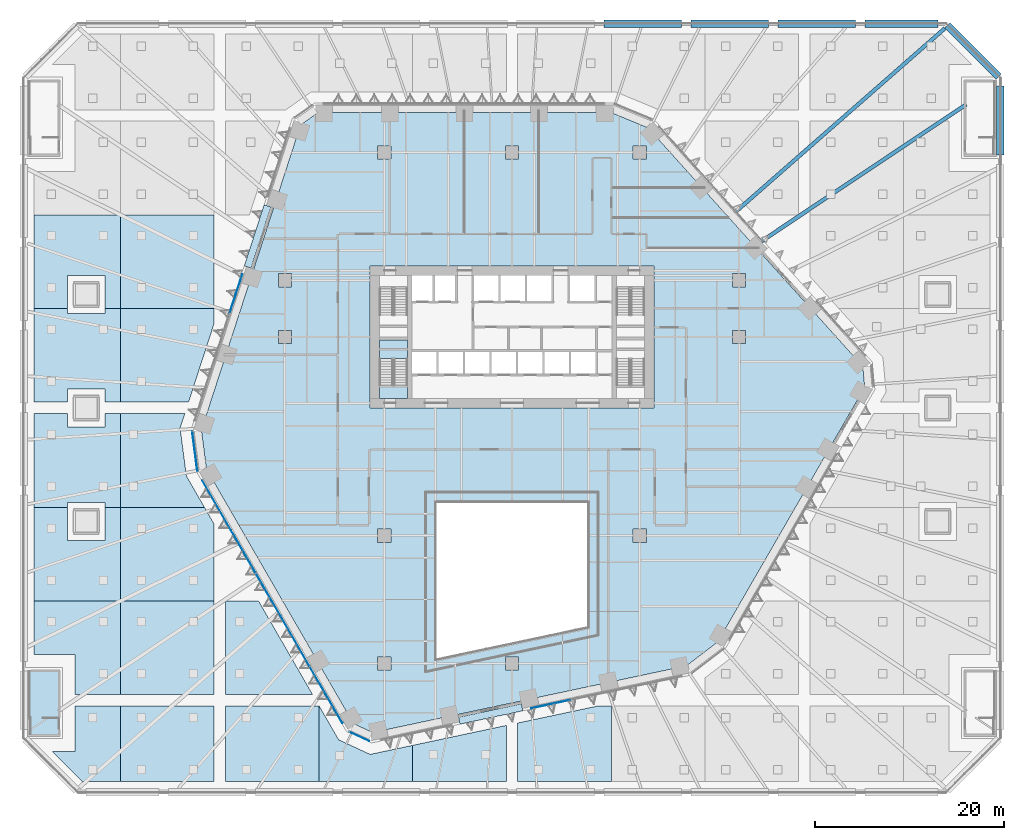
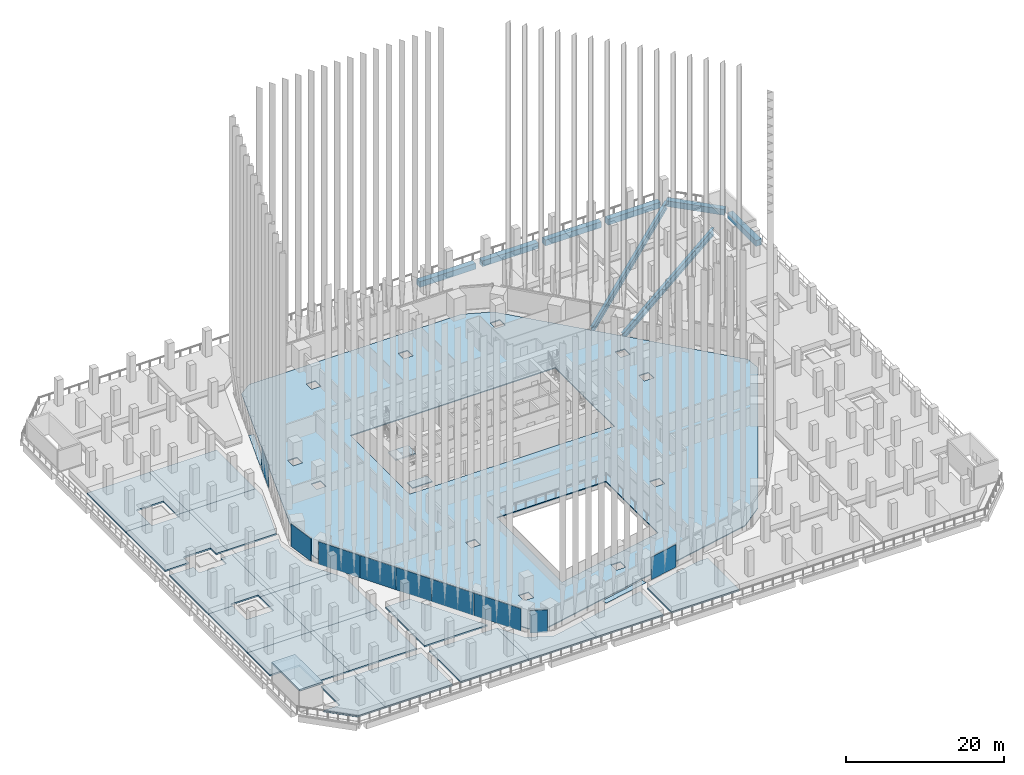
# One storey, part 21 of 51: 23 slabs, 9 plates, 8 beams, 6 elements without a shape of their own.
"""IFC4 building model written with IfcOpenShell, lengths in metres."""

import ifcopenshell
import ifcopenshell.guid

model = None  # the IFC model being written
_history = None  # IfcOwnerHistory: only IFC2X3 demands one
_inside = {}  # id of a spatial element -> (the spatial element, [elements in it])
_under = {}  # id of a project, library or spatial element -> (it, [spatial elements below it])
_declared = {}  # id of a project -> (the project, [libraries it declares])
_typed = {}  # id of a type object -> (the type object, [elements of that type])
_made_of = {}  # id of a material, layer set ... -> (it, [elements and type objects made of it])


def new_model(schema):
    """Start an empty IFC model of exactly this schema.

    Asked for "IFC4X3", IfcOpenShell would pick the latest addendum, in which some entities
    have other attributes; the version numbers below select the first issue.
    IFC2X3 requires an IfcOwnerHistory on every rooted entity: one is made here for all.
    """
    global model, _history
    if schema == "IFC4X3":
        model = ifcopenshell.file(schema_version=(4, 3, 0, 0))
    else:
        model = ifcopenshell.file(schema=schema)
    _inside.clear()
    _under.clear()
    _declared.clear()
    _typed.clear()
    _made_of.clear()
    _history = None
    if model.schema == "IFC2X3":
        org = make("IfcOrganization", Name="unknown")
        user = make(
            "IfcPersonAndOrganization",
            ThePerson=make("IfcPerson", FamilyName="unknown"),
            TheOrganization=org,
        )
        app = make(
            "IfcApplication",
            ApplicationDeveloper=org,
            Version="unknown",
            ApplicationFullName="unknown",
            ApplicationIdentifier="unknown",
        )
        _history = make(
            "IfcOwnerHistory",
            OwningUser=user,
            OwningApplication=app,
            ChangeAction="ADDED",
            CreationDate=0,
        )
    return model


def make(cls, **values):
    """One entity of the class cls with the attributes given. An attribute that is None is left unset."""
    return model.create_entity(
        cls, **{name: value for name, value in values.items() if value is not None}
    )


def rooted(cls, **values):
    """An entity with a GlobalId (a new one), such as an element, a storey or a relation."""
    return make(cls, GlobalId=ifcopenshell.guid.new(), OwnerHistory=_history, **values)


def si_unit(unit_type, name, prefix=None):
    """IfcSIUnit, for example si_unit("LENGTHUNIT", "METRE", prefix="MILLI")."""
    return make("IfcSIUnit", UnitType=unit_type, Prefix=prefix, Name=name)


def assignment(units):
    """IfcUnitAssignment: the units of a project."""
    return None if units is None else make("IfcUnitAssignment", Units=units)


def point(xyz):
    """IfcCartesianPoint."""
    return None if xyz is None else make("IfcCartesianPoint", Coordinates=xyz)


def direction(xyz):
    """IfcDirection."""
    return None if xyz is None else make("IfcDirection", DirectionRatios=xyz)


def frame(location, z_axis=None, x_axis=None):
    """IfcAxis2Placement3D, a coordinate frame: its origin and axes. An axis left out is left unset."""
    return make(
        "IfcAxis2Placement3D",
        Location=point(location),
        Axis=direction(z_axis),
        RefDirection=direction(x_axis),
    )


def frame_2d(location, x_axis=None):
    """IfcAxis2Placement2D, a coordinate frame in the plane: its origin and x axis."""
    return make(
        "IfcAxis2Placement2D", Location=point(location), RefDirection=direction(x_axis)
    )


def origin():
    """The frame at (0, 0, 0) with its axes left unset."""
    return frame((0.0, 0.0, 0.0))


def origin_2d():
    """The frame at (0, 0) in the plane with its x axis left unset."""
    return frame_2d((0.0, 0.0))


def place(relative_to, where):
    """IfcLocalPlacement: puts the frame where relative to a parent placement (None: the world)."""
    return make(
        "IfcLocalPlacement", PlacementRelTo=relative_to, RelativePlacement=where
    )


def context(
    kind, dimensions, precision=None, world=None, true_north=None, identifier=None
):
    """IfcGeometricRepresentationContext, for example the 3D "Model" context."""
    return make(
        "IfcGeometricRepresentationContext",
        ContextIdentifier=identifier,
        ContextType=kind,
        CoordinateSpaceDimension=dimensions,
        Precision=precision,
        WorldCoordinateSystem=world,
        TrueNorth=true_north,
    )


def subcontext(parent, identifier, kind, view, scale=None):
    """IfcGeometricRepresentationSubContext, for example "Body" below "Model"."""
    return make(
        "IfcGeometricRepresentationSubContext",
        ContextIdentifier=identifier,
        ContextType=kind,
        ParentContext=parent,
        TargetScale=scale,
        TargetView=view,
    )


def project(units=None, contexts=None):
    """IfcProject with its units and contexts."""
    return rooted(
        "IfcProject",
        Name="project",
        RepresentationContexts=contexts,
        UnitsInContext=assignment(units),
    )


def spatial(cls, under=None, at=None, **own):
    """A site, building, storey or space (cls), placed at a placement, below another one or the project."""
    s = rooted(cls, ObjectPlacement=at, **own)
    if under is not None:
        _under.setdefault(under.id(), (under, []))[1].append(s)
    return s


def polyline(points):
    """IfcPolyline through the points."""
    return make("IfcPolyline", Points=[point(p) for p in points])


def profile(cls, at=None, kind="AREA", **sizes):
    """A parametric profile (cls). Its sizes go by their IFC names, for example OverallWidth=200.0."""
    return make(cls, ProfileType=kind, Position=at, **sizes)


def rectangle(**sizes):
    """IfcRectangleProfileDef."""
    return profile("IfcRectangleProfileDef", **sizes)


def i_section(**sizes):
    """IfcIShapeProfileDef."""
    return profile("IfcIShapeProfileDef", **sizes)


def outline(outer, holes=None, kind="AREA"):
    """IfcArbitraryClosedProfileDef: a profile drawn as a closed curve; with holes, ...WithVoids."""
    if holes is None:
        return make("IfcArbitraryClosedProfileDef", ProfileType=kind, OuterCurve=outer)
    return make(
        "IfcArbitraryProfileDefWithVoids",
        ProfileType=kind,
        OuterCurve=outer,
        InnerCurves=holes,
    )


def extrude(swept, where, along, depth):
    """IfcExtrudedAreaSolid: the profile swept, set in the frame where, extruded along a direction by depth."""
    return make(
        "IfcExtrudedAreaSolid",
        SweptArea=swept,
        Position=where,
        ExtrudedDirection=direction(along),
        Depth=depth,
    )


def shape(context_of_items, identifier, shape_type, items):
    """IfcShapeRepresentation: the items that make up one representation, for example the "Body"."""
    return make(
        "IfcShapeRepresentation",
        ContextOfItems=context_of_items,
        RepresentationIdentifier=identifier,
        RepresentationType=shape_type,
        Items=items,
    )


def material(Name=None, Category=None):
    """IfcMaterial."""
    return make("IfcMaterial", Name=Name, Category=Category)


def layer(
    of_material, thickness, ventilated=None, Name=None, Category=None, Priority=None
):
    """IfcMaterialLayer: one layer of a wall or slab, of a material (None: an air gap)."""
    return make(
        "IfcMaterialLayer",
        Material=of_material,
        LayerThickness=thickness,
        IsVentilated=ventilated,
        Name=Name,
        Category=Category,
        Priority=Priority,
    )


def layer_set(layers, Name=None):
    """IfcMaterialLayerSet."""
    return make("IfcMaterialLayerSet", MaterialLayers=layers, LayerSetName=Name)


def material_profile(
    of_material, cross_section, Name=None, Category=None, Priority=None
):
    """IfcMaterialProfile: a cross section and its material."""
    return make(
        "IfcMaterialProfile",
        Name=Name,
        Material=of_material,
        Profile=cross_section,
        Priority=Priority,
        Category=Category,
    )


def profile_set(profiles, Name=None, composite=None):
    """IfcMaterialProfileSet."""
    return make(
        "IfcMaterialProfileSet",
        Name=Name,
        MaterialProfiles=profiles,
        CompositeProfile=composite,
    )


def made_of(thing, what):
    """Note that an element or type object is made of a material, layer set ...; save() writes the relation."""
    if what is not None:
        _made_of.setdefault(what.id(), (what, []))[1].append(thing)
    return thing


def type_object(cls, material=None, **own):
    """A type object (cls), such as IfcWallType, which elements share."""
    return made_of(rooted(cls, **own), material)


def element(
    cls,
    number,
    at=None,
    inside=None,
    cuts=None,
    type_object=None,
    material=None,
    context=None,
    identifier="Body",
    shape_type=None,
    held_by="IfcProductDefinitionShape",
    body=None,
    shapes=None,
    **own,
):
    """One element of the class cls, such as IfcWall. Its Tag is "e" and its number.

    at: its placement. inside: the storey or other place that contains it. cuts: it is an
    opening in that element (IfcRelVoidsElement). A single representation is given by context,
    identifier, shape_type and body (its items); several are given by shapes. held_by: the class
    of the entity that holds the representations. save() writes the other relations.
    """
    e = rooted(cls, Tag="e%d" % number, ObjectPlacement=at, **own)
    if body is not None:
        shapes = [shape(context, identifier, shape_type, body)]
    if shapes is not None:
        e.Representation = make(held_by, Representations=shapes)
    if inside is not None:
        _inside.setdefault(inside.id(), (inside, []))[1].append(e)
    if cuts is not None:
        rooted(
            "IfcRelVoidsElement", RelatingBuildingElement=cuts, RelatedOpeningElement=e
        )
    if type_object is not None:
        _typed.setdefault(type_object.id(), (type_object, []))[1].append(e)
    return made_of(e, material)


def aggregate(whole, parts):
    """IfcRelAggregates: a whole, such as a stair, and the parts it consists of."""
    return rooted("IfcRelAggregates", RelatingObject=whole, RelatedObjects=parts)


def save(model, path):
    """Write the relations noted so far, then the file.

    IfcRelAggregates (storeys below a building ...), IfcRelContainedInSpatialStructure (elements
    in a storey), IfcRelDefinesByType, IfcRelAssociatesMaterial and IfcRelDeclares: one each for
    every whole, place, type object, material and project.
    """
    for whole, parts in _under.values():
        aggregate(whole, parts)
    for where, things in _inside.values():
        rooted(
            "IfcRelContainedInSpatialStructure",
            RelatedElements=things,
            RelatingStructure=where,
        )
    for kind, things in _typed.values():
        rooted("IfcRelDefinesByType", RelatedObjects=things, RelatingType=kind)
    for what, things in _made_of.values():
        rooted("IfcRelAssociatesMaterial", RelatedObjects=things, RelatingMaterial=what)
    for by, libraries in _declared.values():
        rooted("IfcRelDeclares", RelatingContext=by, RelatedDefinitions=libraries)
    model.write(path)


model = new_model("IFC4")

# Units and contexts
model_context = context("Model", 3, precision=1e-05, world=origin(), true_north=direction((0.0, 1.0)))
body_context = subcontext(model_context, "Body", "Model", "MODEL_VIEW")
ifc_project = project(units=[si_unit("LENGTHUNIT", "METRE"), si_unit("AREAUNIT", "SQUARE_METRE"), si_unit("VOLUMEUNIT", "CUBIC_METRE"), si_unit("PLANEANGLEUNIT", "RADIAN"), si_unit("MASSUNIT", "GRAM", prefix="KILO")], contexts=[model_context])

# Site, building, storey
site_placement = place(None, origin())
site = spatial("IfcSite", under=ifc_project, at=site_placement, CompositionType="ELEMENT")
building_placement = place(site_placement, origin())
building = spatial("IfcBuilding", under=site, at=building_placement, Name="Isthmus Gate Tower", CompositionType="ELEMENT")
storey_placement = place(building_placement, frame((0.0, 0.0, 36.0)))
storey = spatial("IfcBuildingStorey", under=building, at=storey_placement, Name="L06", CompositionType="ELEMENT", Elevation=36.0)

# Beams
ifc_material_1 = material(Name="Concrete f'c 70 MPa", Category="concrete")
ifc_material_profile_1 = material_profile(ifc_material_1, rectangle(XDim=0.800048828125, YDim=0.89990234375, at=origin_2d()), Name="RC 800X900")
ifc_profile_set_1 = profile_set([ifc_material_profile_1], Name="Concrete f'c 70 MPa")
beam_type_1 = type_object("IfcBeamType", Name="RC EDGE BEAM 800 X 900", PredefinedType="BEAM", material=ifc_profile_set_1)
beam_1_placement = place(storey_placement, frame((9.699951171875, 40.60009765625, -0.60009765625), z_axis=(1.0, 0.0, 0.0), x_axis=(0.0, 1.0, 0.0)))
element("IfcBeam", 1, at=beam_1_placement, inside=storey, type_object=beam_type_1, Name="str-edgebeam-L06-15", PredefinedType="BEAM", context=body_context, shape_type="SweptSolid", body=[
    extrude(rectangle(XDim=0.800048828125, YDim=0.89990234375, at=origin_2d()), origin(), (0.0, 0.0, 1.0), 8.199951171875),
])
beam_2_placement = place(storey_placement, frame((18.89990234375, 40.60009765625, -0.60009765625), z_axis=(1.0, 0.0, 0.0), x_axis=(0.0, 1.0, 0.0)))
element("IfcBeam", 2, at=beam_2_placement, inside=storey, type_object=beam_type_1, Name="str-edgebeam-L06-16", PredefinedType="BEAM", context=body_context, shape_type="SweptSolid", body=[
    extrude(rectangle(XDim=0.800048828125, YDim=0.89990234375, at=origin_2d()), origin(), (0.0, 0.0, 1.0), 8.2001953125),
])
beam_3_placement = place(storey_placement, frame((28.10009765625, 40.60009765625, -0.60009765625), z_axis=(1.0, 0.0, 0.0), x_axis=(0.0, 1.0, 0.0)))
element("IfcBeam", 3, at=beam_3_placement, inside=storey, type_object=beam_type_1, Name="str-edgebeam-L06-17", PredefinedType="BEAM", context=body_context, shape_type="SweptSolid", body=[
    extrude(rectangle(XDim=0.800048828125, YDim=0.89990234375, at=origin_2d()), origin(), (0.0, 0.0, 1.0), 8.199951171875),
])
beam_4_placement = place(storey_placement, frame((37.300048828125, 40.60009765625, -0.60009765625), z_axis=(1.0, 0.0, 0.0), x_axis=(0.0, 1.0, 0.0)))
element("IfcBeam", 4, at=beam_4_placement, inside=storey, type_object=beam_type_1, Name="str-edgebeam-L06-18", PredefinedType="BEAM", context=body_context, shape_type="SweptSolid", body=[
    extrude(rectangle(XDim=0.800048828125, YDim=0.89990234375, at=origin_2d()), origin(), (0.0, 0.0, 1.0), 7.699951171875),
])
beam_5_placement = place(storey_placement, frame((46.0, 40.434326171875, -0.60009765625), z_axis=(0.707106781187, -0.707106781187, 0.0), x_axis=(0.707106781187, 0.707106781187, 0.0)))
element("IfcBeam", 5, at=beam_5_placement, inside=storey, type_object=beam_type_1, Name="str-edgebeam-L06-19", PredefinedType="BEAM", context=body_context, shape_type="SweptSolid", body=[
    extrude(rectangle(XDim=0.800048828125, YDim=0.89990234375, at=origin_2d()), origin(), (0.0, 0.0, 1.0), 7.685302734375),
])
beam_6_placement = place(storey_placement, frame((51.60009765625, 34.0, -0.60009765625), z_axis=(0.0, -1.0, 0.0), x_axis=(1.0, 0.0, 0.0)))
element("IfcBeam", 6, at=beam_6_placement, inside=storey, type_object=beam_type_1, Name="str-edgebeam-L06-20", PredefinedType="BEAM", context=body_context, shape_type="SweptSolid", body=[
    extrude(rectangle(XDim=0.800048828125, YDim=0.89990234375, at=origin_2d()), origin(), (0.0, 0.0, 1.0), 7.25),
])
ifc_material_2 = material(Name="Structural steel ASTM A992 Gr 50", Category="steel")
ifc_material_profile_2 = material_profile(ifc_material_2, i_section(OverallWidth=0.39990234375, OverallDepth=1.089111328125, WebThickness=0.017578125, FlangeThickness=0.03173828125, at=origin_2d()), Name="W44X230")
ifc_profile_set_2 = profile_set([ifc_material_profile_2], Name="Structural steel ASTM A992 Gr 50")
beam_type_2 = type_object("IfcBeamType", Name="STEEL LEDGE BEAM W44X230", PredefinedType="JOIST", material=ifc_profile_set_2)
beam_7_placement = place(storey_placement, frame((26.2978515625, 17.571533203125, -0.694580078125), z_axis=(0.83146846936, 0.555571943551, 0.0), x_axis=(-0.555571943551, 0.83146846936, 0.0)))
element("IfcBeam", 7, at=beam_7_placement, inside=storey, type_object=beam_type_2, Name="str-ringbeam-L06-00-04", PredefinedType="JOIST", context=body_context, shape_type="SweptSolid", body=[
    extrude(i_section(OverallWidth=0.39990234375, OverallDepth=1.089111328125, WebThickness=0.017578125, FlangeThickness=0.03173828125, at=origin_2d()), origin(), (0.0, 0.0, 1.0), 26.10107421875),
])
beam_8_placement = place(storey_placement, frame((23.53515625, 20.6396484375, -0.694580078125), z_axis=(0.751834496551, 0.659351871004, 0.0), x_axis=(-0.659351871004, 0.751834496551, 0.0)))
element("IfcBeam", 8, at=beam_8_placement, inside=storey, type_object=beam_type_2, Name="str-ringbeam-L06-00-05", PredefinedType="JOIST", context=body_context, shape_type="SweptSolid", body=[
    extrude(i_section(OverallWidth=0.39990234375, OverallDepth=1.089111328125, WebThickness=0.017578125, FlangeThickness=0.03173828125, at=origin_2d()), origin(), (0.0, 0.0, 1.0), 29.545166015625),
])

# Slabs
ifc_material_3 = material(Name="Concrete f'c 40 MPa", Category="concrete")
ifc_layer_1 = layer(ifc_material_3, 0.14990234375)
ifc_layer_set_1 = layer_set([ifc_layer_1], Name="COMPOSITE FLOOR SLAB 150")
slab_type_1 = type_object("IfcSlabType", Name="COMPOSITE FLOOR SLAB 150", PredefinedType="FLOOR", material=ifc_layer_set_1)
slab_1_placement = place(storey_placement, frame((0.0, 0.0, -0.14990234375)))
element("IfcSlab", 9, at=slab_1_placement, inside=storey, type_object=slab_type_1, Name="str-slab-L06-1", PredefinedType="FLOOR", context=body_context, shape_type="SweptSolid", body=[
    extrude(outline(polyline([(14.391357421875, 29.599365234375), (37.081787109375, 4.399169921875), (37.281494140625, 2.17333984375), (21.748779296875, -24.729736328125), (18.438232421875, -27.262939453125), (-14.73095703125, -34.313232421875), (-16.758544921875, -33.373291015625), (-32.291015625, -6.47021484375), (-32.82958984375, -2.33642578125), (-22.3505859375, 29.9140625), (-20.52294921875, 31.199951171875), (10.542236328125, 31.199951171875), (14.391357421875, 29.599365234375)]), holes=[polyline([(-14.199951171875, -26.300048828125), (-14.199951171875, -27.699951171875), (-12.800048828125, -27.699951171875), (-12.800048828125, -26.300048828125), (-14.199951171875, -26.300048828125)]), polyline([(-0.699951171875, -26.300048828125), (-0.699951171875, -27.699951171875), (0.699951171875, -27.699951171875), (0.699951171875, -26.300048828125), (-0.699951171875, -26.300048828125)]), polyline([(8.0, -23.143310546875), (8.0, -10.0), (-8.0, -10.0), (-8.0, -26.544189453125), (8.0, -23.143310546875)]), polyline([(-14.199951171875, -12.800048828125), (-14.199951171875, -14.199951171875), (-12.800048828125, -14.199951171875), (-12.800048828125, -12.800048828125), (-14.199951171875, -12.800048828125)]), polyline([(-23.300048828125, 8.199951171875), (-24.699951171875, 8.199951171875), (-24.699951171875, 6.800048828125), (-23.300048828125, 6.800048828125), (-23.300048828125, 8.199951171875)]), polyline([(-23.300048828125, 14.199951171875), (-24.699951171875, 14.199951171875), (-24.699951171875, 12.800048828125), (-23.300048828125, 12.800048828125), (-23.300048828125, 14.199951171875)]), polyline([(-14.199951171875, 27.699951171875), (-14.199951171875, 26.300048828125), (-12.800048828125, 26.300048828125), (-12.800048828125, 27.699951171875), (-14.199951171875, 27.699951171875)]), polyline([(14.199951171875, -12.800048828125), (12.800048828125, -12.800048828125), (12.800048828125, -14.199951171875), (14.199951171875, -14.199951171875), (14.199951171875, -12.800048828125)]), polyline([(15.0, 15.0), (-15.0, 15.0), (-15.0, 0.0), (15.0, 0.0), (15.0, 15.0)]), polyline([(24.699951171875, 8.199951171875), (23.300048828125, 8.199951171875), (23.300048828125, 6.800048828125), (24.699951171875, 6.800048828125), (24.699951171875, 8.199951171875)]), polyline([(23.300048828125, 14.199951171875), (23.300048828125, 12.800048828125), (24.699951171875, 12.800048828125), (24.699951171875, 14.199951171875), (23.300048828125, 14.199951171875)]), polyline([(0.699951171875, 27.699951171875), (-0.699951171875, 27.699951171875), (-0.699951171875, 26.300048828125), (0.699951171875, 26.300048828125), (0.699951171875, 27.699951171875)]), polyline([(14.199951171875, 26.300048828125), (14.199951171875, 27.699951171875), (12.800048828125, 27.699951171875), (12.800048828125, 26.300048828125), (14.199951171875, 26.300048828125)])]), origin(), (0.0, 0.0, 1.0), 0.14990234375),
])
ifc_material_4 = material(Name="Concrete f'c 40 MPa", Category="concrete")
ifc_layer_2 = layer(ifc_material_4, 0.14990234375)
ifc_layer_set_2 = layer_set([ifc_layer_2], Name="CORE FLOOR SLAB 150")
slab_type_2 = type_object("IfcSlabType", Name="CORE FLOOR SLAB 150", PredefinedType="FLOOR", material=ifc_layer_set_2)
slab_2_placement = place(storey_placement, frame((0.0, 0.0, -0.14990234375)))
element("IfcSlab", 10, at=slab_2_placement, inside=storey, type_object=slab_type_2, Name="L06 core floor", PredefinedType="FLOOR", context=body_context, shape_type="SweptSolid", body=[
    extrude(outline(polyline([(-11.050048828125, 1.0), (-11.050048828125, 2.402099609375), (-14.0, 2.402099609375), (-14.0, 1.0), (-11.050048828125, 1.0)])), origin(), (0.0, 0.0, 1.0), 0.14990234375),
])

# Curtain wall, plate
ifc_material_5 = material(Name="Aluminium, pale champagne anodised", Category="aluminium")
ifc_layer_3 = layer(ifc_material_5, 0.199951171875)
ifc_layer_set_3 = layer_set([ifc_layer_3], Name="CW-1 UNITISED CURTAIN WALL 200 DEEP")
curtain_wall_type = type_object("IfcCurtainWallType", Name="CW-1 UNITISED CURTAIN WALL 200 DEEP", PredefinedType="NOTDEFINED", material=ifc_layer_set_3)
curtain_wall_1_placement = place(storey_placement, origin())
curtain_wall_1 = element("IfcCurtainWall", 11, at=curtain_wall_1_placement, inside=storey, type_object=curtain_wall_type, Name="CW-1 NW L06", PredefinedType="NOTDEFINED")
ifc_material_6 = material(Name="Laminated low-iron glass, pale blue tint", Category="glass")
ifc_layer_4 = layer(ifc_material_6, 0.0400390625)
ifc_layer_set_4 = layer_set([ifc_layer_4], Name="CW-1 CLEAR GLASS LITE 40")
plate_type = type_object("IfcPlateType", Name="CW-1 CLEAR GLASS LITE 40", PredefinedType="CURTAIN_PANEL", material=ifc_layer_set_4)
plate_1_placement = place(storey_placement, frame((-29.17236328125, 12.09033203125, 0.0), z_axis=(0.0, 0.0, 1.0), x_axis=(-0.309016994375, -0.951056516295, 0.0)))
plate_1 = element("IfcPlate", 12, at=plate_1_placement, type_object=plate_type, Name="CW-1 glass lite", PredefinedType="CURTAIN_PANEL", context=body_context, shape_type="SweptSolid", body=[
    extrude(rectangle(XDim=4.294677734375, YDim=0.0400390625, at=origin_2d()), origin(), (0.0, 0.0, 1.0), 3.5),
])
aggregate(curtain_wall_1, [plate_1])

curtain_wall_2_placement = place(storey_placement, origin())
curtain_wall_2 = element("IfcCurtainWall", 13, at=curtain_wall_2_placement, inside=storey, type_object=curtain_wall_type, Name="CW-1 NW-SW L06", PredefinedType="NOTDEFINED")
plate_2_placement = place(storey_placement, frame((-33.5283203125, -4.558349609375, 0.0), z_axis=(0.0, 0.0, 1.0), x_axis=(0.129164534, -0.991623175988, 0.0)))
plate_2 = element("IfcPlate", 14, at=plate_2_placement, type_object=plate_type, Name="CW-1 glass lite", PredefinedType="CURTAIN_PANEL", context=body_context, shape_type="SweptSolid", body=[
    extrude(rectangle(XDim=4.181396484375, YDim=0.0400390625, at=origin_2d()), origin(), (0.0, 0.0, 1.0), 3.5),
])
aggregate(curtain_wall_2, [plate_2])

# Curtain wall, plates
curtain_wall_3_placement = place(storey_placement, origin())
curtain_wall_3 = element("IfcCurtainWall", 15, at=curtain_wall_3_placement, inside=storey, type_object=curtain_wall_type, Name="CW-1 SW L06", PredefinedType="NOTDEFINED")
plate_3_placement = place(storey_placement, frame((-31.22119140625, -10.283203125, 0.0), z_axis=(0.0, 0.0, 1.0), x_axis=(0.5, -0.866025403784, 0.0)))
plate_3 = element("IfcPlate", 16, at=plate_3_placement, type_object=plate_type, Name="CW-1 glass lite", PredefinedType="CURTAIN_PANEL", context=body_context, shape_type="SweptSolid", body=[
    extrude(rectangle(XDim=6.07373046875, YDim=0.0400390625, at=origin_2d()), origin(), (0.0, 0.0, 1.0), 3.5),
])
plate_4_placement = place(storey_placement, frame((-28.394287109375, -15.179443359375, 0.0), z_axis=(0.0, 0.0, 1.0), x_axis=(0.5, -0.866025403784, 0.0)))
plate_4 = element("IfcPlate", 17, at=plate_4_placement, type_object=plate_type, Name="CW-1 glass lite", PredefinedType="CURTAIN_PANEL", context=body_context, shape_type="SweptSolid", body=[
    extrude(rectangle(XDim=5.233642578125, YDim=0.0400390625, at=origin_2d()), origin(), (0.0, 0.0, 1.0), 3.5),
])
plate_5_placement = place(storey_placement, frame((-25.7626953125, -19.73779296875, 0.0), z_axis=(0.0, 0.0, 1.0), x_axis=(0.5, -0.866025403784, 0.0)))
plate_5 = element("IfcPlate", 18, at=plate_5_placement, type_object=plate_type, Name="CW-1 glass lite", PredefinedType="CURTAIN_PANEL", context=body_context, shape_type="SweptSolid", body=[
    extrude(rectangle(XDim=5.173583984375, YDim=0.0400390625, at=origin_2d()), origin(), (0.0, 0.0, 1.0), 3.5),
])
plate_6_placement = place(storey_placement, frame((-22.935791015625, -24.634033203125, 0.0), z_axis=(0.0, 0.0, 1.0), x_axis=(0.5, -0.866025403784, 0.0)))
plate_6 = element("IfcPlate", 19, at=plate_6_placement, type_object=plate_type, Name="CW-1 glass lite", PredefinedType="CURTAIN_PANEL", context=body_context, shape_type="SweptSolid", body=[
    extrude(rectangle(XDim=6.133544921875, YDim=0.0400390625, at=origin_2d()), origin(), (0.0, 0.0, 1.0), 3.5),
])
plate_7_placement = place(storey_placement, frame((-19.6513671875, -30.32275390625, 0.0), z_axis=(0.0, 0.0, 1.0), x_axis=(0.5, -0.866025403784, 0.0)))
plate_7 = element("IfcPlate", 20, at=plate_7_placement, type_object=plate_type, Name="CW-1 glass lite", PredefinedType="CURTAIN_PANEL", context=body_context, shape_type="SweptSolid", body=[
    extrude(rectangle(XDim=6.883544921875, YDim=0.0400390625, at=origin_2d()), origin(), (0.0, 0.0, 1.0), 3.5),
])
aggregate(curtain_wall_3, [plate_3, plate_4, plate_5, plate_6, plate_7])

# Curtain wall, plate
curtain_wall_4_placement = place(storey_placement, origin())
curtain_wall_4 = element("IfcCurtainWall", 21, at=curtain_wall_4_placement, inside=storey, type_object=curtain_wall_type, Name="CW-1 SW-S L06", PredefinedType="NOTDEFINED")
plate_8_placement = place(storey_placement, frame((-16.1298828125, -34.7451171875, 0.0), z_axis=(0.0, 0.0, 1.0), x_axis=(0.907256261367, -0.420578264073, 0.0)))
plate_8 = element("IfcPlate", 22, at=plate_8_placement, type_object=plate_type, Name="CW-1 glass lite", PredefinedType="CURTAIN_PANEL", context=body_context, shape_type="SweptSolid", body=[
    extrude(rectangle(XDim=2.258544921875, YDim=0.0400390625, at=origin_2d()), origin(), (0.0, 0.0, 1.0), 3.5),
])
aggregate(curtain_wall_4, [plate_8])

curtain_wall_5_placement = place(storey_placement, origin())
curtain_wall_5 = element("IfcCurtainWall", 23, at=curtain_wall_5_placement, inside=storey, type_object=curtain_wall_type, Name="CW-1 S L06", PredefinedType="NOTDEFINED")
plate_9_placement = place(storey_placement, frame((4.115478515625, -31.309326171875, 0.0), z_axis=(0.0, 0.0, 1.0), x_axis=(0.978147600734, 0.207911690818, 0.0)))
plate_9 = element("IfcPlate", 24, at=plate_9_placement, type_object=plate_type, Name="CW-1 glass lite", PredefinedType="CURTAIN_PANEL", context=body_context, shape_type="SweptSolid", body=[
    extrude(rectangle(XDim=4.294677734375, YDim=0.0400390625, at=origin_2d()), origin(), (0.0, 0.0, 1.0), 3.5),
])
aggregate(curtain_wall_5, [plate_9])

# Slabs
ifc_material_7 = material(Name="Precast concrete C40/50", Category="concrete")
ifc_layer_5 = layer(ifc_material_7, 0.0400390625)
ifc_layer_set_5 = layer_set([ifc_layer_5], Name="DOOR LANDING SLAB 40")
slab_type_3 = type_object("IfcSlabType", Name="DOOR LANDING SLAB 40", PredefinedType="LANDING", material=ifc_layer_set_5)
slab_3_placement = place(storey_placement, origin())
element("IfcSlab", 25, at=slab_3_placement, inside=storey, type_object=slab_type_3, Name="DOOR LANDING", PredefinedType="LANDING", context=body_context, shape_type="SweptSolid", body=[
    extrude(outline(polyline([(-26.19921875, 21.46728515625), (-28.29736328125, 15.01025390625), (-27.583984375, 14.778564453125), (-25.48583984375, 21.235595703125), (-26.19921875, 21.46728515625)])), origin(), (0.0, 0.0, 1.0), 0.0400390625),
])
slab_4_placement = place(storey_placement, origin())
element("IfcSlab", 26, at=slab_4_placement, inside=storey, type_object=slab_type_3, Name="DOOR LANDING", PredefinedType="LANDING", context=body_context, shape_type="SweptSolid", body=[
    extrude(outline(polyline([(-5.49169921875, -33.4228515625), (1.1494140625, -32.01123046875), (0.993408203125, -31.277587890625), (-5.6474609375, -32.689208984375), (-5.49169921875, -33.4228515625)])), origin(), (0.0, 0.0, 1.0), 0.0400390625),
])
ifc_material_8 = material(Name="Concrete f'c 40 MPa", Category="concrete")
ifc_layer_6 = layer(ifc_material_8, 0.25)
ifc_layer_set_6 = layer_set([ifc_layer_6], Name="Head-house roof slab 250")
slab_type_4 = type_object("IfcSlabType", Name="Head-house roof slab 250", PredefinedType="ROOF", material=ifc_layer_set_6)
slab_5_placement = place(storey_placement, frame((0.0, 0.0, 3.199951171875)))
element("IfcSlab", 27, at=slab_5_placement, inside=storey, type_object=slab_type_4, Name="Stair head-house roof", PredefinedType="ROOF", context=body_context, shape_type="SweptSolid", body=[
    extrude(outline(polyline([(-51.199951171875, -34.72509765625), (-47.75, -34.72509765625), (-47.75, -27.678955078125), (-51.199951171875, -27.678955078125), (-51.199951171875, -34.72509765625)])), origin(), (0.0, 0.0, 1.0), 0.25),
])
ifc_material_9 = material(Name="Concrete f'c 40 MPa", Category="concrete")
ifc_layer_7 = layer(ifc_material_9, 0.25)
ifc_layer_set_7 = layer_set([ifc_layer_7], Name="PLANTING BED BASE SLAB 250")
slab_type_5 = type_object("IfcSlabType", Name="PLANTING BED BASE SLAB 250", PredefinedType="FLOOR", material=ifc_layer_set_7)
slab_6_placement = place(storey_placement, origin())
element("IfcSlab", 28, at=slab_6_placement, inside=storey, type_object=slab_type_5, Name="PLANTING BED BASE", PredefinedType="FLOOR", context=body_context, shape_type="SweptSolid", body=[
    extrude(outline(polyline([(-41.39990234375, -10.5), (-43.0, -10.5), (-43.0, -14.0), (-47.0, -14.0), (-47.0, -10.5), (-50.5, -10.5), (-50.5, -20.39990234375), (-41.39990234375, -20.39990234375), (-41.39990234375, -10.5)])), origin(), (0.0, 0.0, 1.0), 0.25),
])
slab_7_placement = place(storey_placement, origin())
element("IfcSlab", 29, at=slab_7_placement, inside=storey, type_object=slab_type_5, Name="PLANTING BED BASE", PredefinedType="FLOOR", context=body_context, shape_type="SweptSolid", body=[
    extrude(outline(polyline([(-41.39990234375, 20.39990234375), (-50.5, 20.39990234375), (-50.5, 10.5), (-47.0, 10.5), (-47.0, 14.0), (-43.0, 14.0), (-43.0, 10.5), (-41.39990234375, 10.5), (-41.39990234375, 20.39990234375)])), origin(), (0.0, 0.0, 1.0), 0.25),
])
slab_8_placement = place(storey_placement, origin())
element("IfcSlab", 30, at=slab_8_placement, inside=storey, type_object=slab_type_5, Name="PLANTING BED BASE", PredefinedType="FLOOR", context=body_context, shape_type="SweptSolid", body=[
    extrude(outline(polyline([(-41.39990234375, -0.60009765625), (-43.0, -0.60009765625), (-43.0, -2.0), (-47.0, -2.0), (-47.0, -0.60009765625), (-50.5, -0.60009765625), (-50.5, -10.5), (-47.0, -10.5), (-47.0, -10.0), (-43.0, -10.0), (-43.0, -10.5), (-41.39990234375, -10.5), (-41.39990234375, -0.60009765625)])), origin(), (0.0, 0.0, 1.0), 0.25),
])
slab_9_placement = place(storey_placement, origin())
element("IfcSlab", 31, at=slab_9_placement, inside=storey, type_object=slab_type_5, Name="PLANTING BED BASE", PredefinedType="FLOOR", context=body_context, shape_type="SweptSolid", body=[
    extrude(outline(polyline([(-41.39990234375, 10.5), (-43.0, 10.5), (-43.0, 10.0), (-47.0, 10.0), (-47.0, 10.5), (-50.5, 10.5), (-50.5, 0.60009765625), (-47.0, 0.60009765625), (-47.0, 2.0), (-43.0, 2.0), (-43.0, 0.60009765625), (-41.39990234375, 0.60009765625), (-41.39990234375, 10.5)])), origin(), (0.0, 0.0, 1.0), 0.25),
])
slab_10_placement = place(storey_placement, origin())
element("IfcSlab", 32, at=slab_10_placement, inside=storey, type_object=slab_type_5, Name="PLANTING BED BASE", PredefinedType="FLOOR", context=body_context, shape_type="SweptSolid", body=[
    extrude(outline(polyline([(-41.39990234375, -20.39990234375), (-50.5, -20.39990234375), (-50.5, -26.078857421875), (-46.175048828125, -26.078857421875), (-46.175048828125, -30.300048828125), (-41.39990234375, -30.300048828125), (-41.39990234375, -20.39990234375)])), origin(), (0.0, 0.0, 1.0), 0.25),
])
slab_11_placement = place(storey_placement, origin())
element("IfcSlab", 33, at=slab_11_placement, inside=storey, type_object=slab_type_5, Name="PLANTING BED BASE", PredefinedType="FLOOR", context=body_context, shape_type="SweptSolid", body=[
    extrude(outline(polyline([(-41.39990234375, -31.5), (-46.175048828125, -31.5), (-46.175048828125, -36.300048828125), (-48.57861328125, -36.300048828125), (-45.378662109375, -39.5), (-41.39990234375, -39.5), (-41.39990234375, -31.5)])), origin(), (0.0, 0.0, 1.0), 0.25),
])
slab_12_placement = place(storey_placement, origin())
element("IfcSlab", 34, at=slab_12_placement, inside=storey, type_object=slab_type_5, Name="PLANTING BED BASE", PredefinedType="FLOOR", context=body_context, shape_type="SweptSolid", body=[
    extrude(outline(polyline([(-41.39990234375, -10.5), (-32.5048828125, -10.5), (-34.416015625, -7.18994140625), (-35.0751953125, -2.128662109375), (-34.57861328125, -0.60009765625), (-41.39990234375, -0.60009765625), (-41.39990234375, -10.5)])), origin(), (0.0, 0.0, 1.0), 0.25),
])
slab_13_placement = place(storey_placement, origin())
element("IfcSlab", 35, at=slab_13_placement, inside=storey, type_object=slab_type_5, Name="PLANTING BED BASE", PredefinedType="FLOOR", context=body_context, shape_type="SweptSolid", body=[
    extrude(outline(polyline([(-41.39990234375, 0.60009765625), (-34.188720703125, 0.60009765625), (-31.5, 8.874755859375), (-31.5, 10.5), (-41.39990234375, 10.5), (-41.39990234375, 0.60009765625)])), origin(), (0.0, 0.0, 1.0), 0.25),
])
slab_14_placement = place(storey_placement, origin())
element("IfcSlab", 36, at=slab_14_placement, inside=storey, type_object=slab_type_5, Name="PLANTING BED BASE", PredefinedType="FLOOR", context=body_context, shape_type="SweptSolid", body=[
    extrude(outline(polyline([(-31.5, -20.39990234375), (-31.5, -12.240478515625), (-32.5048828125, -10.5), (-41.39990234375, -10.5), (-41.39990234375, -20.39990234375), (-31.5, -20.39990234375)])), origin(), (0.0, 0.0, 1.0), 0.25),
])
slab_15_placement = place(storey_placement, origin())
element("IfcSlab", 37, at=slab_15_placement, inside=storey, type_object=slab_type_5, Name="PLANTING BED BASE", PredefinedType="FLOOR", context=body_context, shape_type="SweptSolid", body=[
    extrude(outline(polyline([(-41.39990234375, -31.5), (-41.39990234375, -39.5), (-31.5, -39.5), (-31.5, -31.5), (-41.39990234375, -31.5)])), origin(), (0.0, 0.0, 1.0), 0.25),
])
slab_16_placement = place(storey_placement, origin())
element("IfcSlab", 38, at=slab_16_placement, inside=storey, type_object=slab_type_5, Name="PLANTING BED BASE", PredefinedType="FLOOR", context=body_context, shape_type="SweptSolid", body=[
    extrude(outline(polyline([(-41.39990234375, -30.300048828125), (-31.5, -30.300048828125), (-31.5, -20.39990234375), (-41.39990234375, -20.39990234375), (-41.39990234375, -30.300048828125)])), origin(), (0.0, 0.0, 1.0), 0.25),
])
slab_17_placement = place(storey_placement, origin())
element("IfcSlab", 39, at=slab_17_placement, inside=storey, type_object=slab_type_5, Name="PLANTING BED BASE", PredefinedType="FLOOR", context=body_context, shape_type="SweptSolid", body=[
    extrude(outline(polyline([(-41.39990234375, 10.5), (-31.5, 10.5), (-31.5, 20.39990234375), (-41.39990234375, 20.39990234375), (-41.39990234375, 10.5)])), origin(), (0.0, 0.0, 1.0), 0.25),
])
slab_18_placement = place(storey_placement, origin())
element("IfcSlab", 40, at=slab_18_placement, inside=storey, type_object=slab_type_5, Name="PLANTING BED BASE", PredefinedType="FLOOR", context=body_context, shape_type="SweptSolid", body=[
    extrude(outline(polyline([(-30.300048828125, -30.300048828125), (-21.0732421875, -30.300048828125), (-26.7890625, -20.39990234375), (-30.300048828125, -20.39990234375), (-30.300048828125, -30.300048828125)])), origin(), (0.0, 0.0, 1.0), 0.25),
])
slab_19_placement = place(storey_placement, origin())
element("IfcSlab", 41, at=slab_19_placement, inside=storey, type_object=slab_type_5, Name="PLANTING BED BASE", PredefinedType="FLOOR", context=body_context, shape_type="SweptSolid", body=[
    extrude(outline(polyline([(-30.300048828125, -31.5), (-30.300048828125, -39.5), (-20.39990234375, -39.5), (-20.39990234375, -31.5), (-30.300048828125, -31.5)])), origin(), (0.0, 0.0, 1.0), 0.25),
])
slab_20_placement = place(storey_placement, origin())
element("IfcSlab", 42, at=slab_20_placement, inside=storey, type_object=slab_type_5, Name="PLANTING BED BASE", PredefinedType="FLOOR", context=body_context, shape_type="SweptSolid", body=[
    extrude(outline(polyline([(-10.5, -39.5), (-10.5, -35.6630859375), (-14.990966796875, -36.61767578125), (-18.315673828125, -35.076416015625), (-20.38037109375, -31.5), (-20.39990234375, -31.5), (-20.39990234375, -39.5), (-10.5, -39.5)])), origin(), (0.0, 0.0, 1.0), 0.25),
])
slab_21_placement = place(storey_placement, origin())
element("IfcSlab", 43, at=slab_21_placement, inside=storey, type_object=slab_type_5, Name="PLANTING BED BASE", PredefinedType="FLOOR", context=body_context, shape_type="SweptSolid", body=[
    extrude(outline(polyline([(-0.60009765625, -39.5), (-0.60009765625, -33.558837890625), (-10.5, -35.6630859375), (-10.5, -39.5), (-0.60009765625, -39.5)])), origin(), (0.0, 0.0, 1.0), 0.25),
])
slab_22_placement = place(storey_placement, origin())
element("IfcSlab", 44, at=slab_22_placement, inside=storey, type_object=slab_type_5, Name="PLANTING BED BASE", PredefinedType="FLOOR", context=body_context, shape_type="SweptSolid", body=[
    extrude(outline(polyline([(10.5, -31.5), (9.0859375, -31.5), (0.60009765625, -33.3037109375), (0.60009765625, -39.5), (10.5, -39.5), (10.5, -31.5)])), origin(), (0.0, 0.0, 1.0), 0.25),
])

# Stair, slab
ifc_material_10 = material(Name="Concrete f'c 40 MPa", Category="concrete")
stair_type = type_object("IfcStairType", Name="CORE STAIR 22 RISERS", PredefinedType="HALF_TURN_STAIR", material=ifc_material_10)
stair_placement = place(storey_placement, origin())
stair = element("IfcStair", 45, at=stair_placement, inside=storey, type_object=stair_type, Name="L06 Exit Stair 7", PredefinedType="HALF_TURN_STAIR")
ifc_material_11 = material(Name="Concrete f'c 40 MPa", Category="concrete")
ifc_layer_8 = layer(ifc_material_11, 0.199951171875)
ifc_layer_set_8 = layer_set([ifc_layer_8])
slab_type_6 = type_object("IfcSlabType", Name="STAIR LANDING RC 200", PredefinedType="LANDING", material=ifc_layer_set_8)
slab_23_placement = place(storey_placement, frame((0.0, 0.0, 1.625)))
slab_23 = element("IfcSlab", 46, at=slab_23_placement, type_object=slab_type_6, Name="ST7 landing 1", PredefinedType="LANDING", context=body_context, shape_type="SweptSolid", body=[
    extrude(outline(polyline([(-11.050048828125, 5.199951171875), (-11.050048828125, 7.199951171875), (-14.0, 7.199951171875), (-14.0, 5.199951171875), (-11.050048828125, 5.199951171875)])), origin(), (0.0, 0.0, 1.0), 0.199951171875),
])
aggregate(stair, [slab_23])

save(model, "model.ifc")
